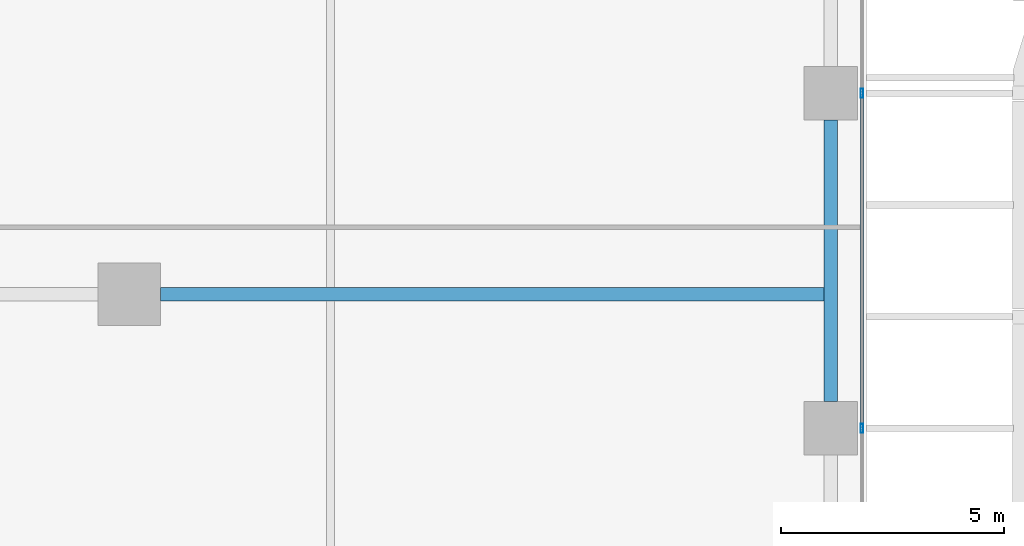
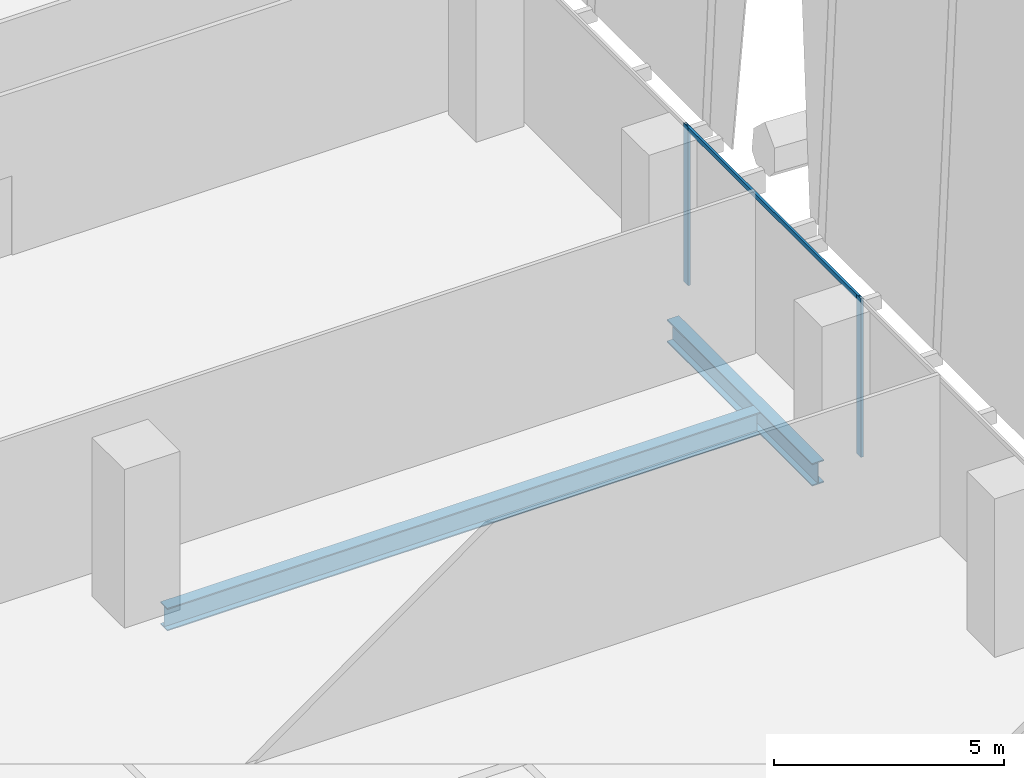
# One storey, part 10 of 35: 3 members, 2 beams, 1 element without a shape of its own.
"""IFC4 building model written with IfcOpenShell, lengths in metres."""

from ifc_helpers import new_model, si_unit, direction, frame, origin, origin_2d, place, context, subcontext, project, spatial, hollow_rectangle, i_section, extrude, source, transform, mapped, material, material_profile, profile_set, type_object, element, aggregate, save


model = new_model("IFC4")

# Units and contexts
model_context = context("Model", 3, precision=1e-05, world=origin(), true_north=direction((0.0, 1.0)))
body_context = subcontext(model_context, "Body", "Model", "MODEL_VIEW")
ifc_project = project(units=[si_unit("LENGTHUNIT", "METRE"), si_unit("AREAUNIT", "SQUARE_METRE"), si_unit("VOLUMEUNIT", "CUBIC_METRE"), si_unit("PLANEANGLEUNIT", "RADIAN"), si_unit("MASSUNIT", "GRAM", prefix="KILO")], contexts=[model_context])

# Site, building, storey
site_placement = place(None, origin())
site = spatial("IfcSite", under=ifc_project, at=site_placement, CompositionType="ELEMENT")
building_placement = place(site_placement, origin())
building = spatial("IfcBuilding", under=site, at=building_placement, Name="Khomas Fold Tower", CompositionType="ELEMENT")
storey_placement = place(building_placement, frame((0.0, 0.0, 87.0)))
storey = spatial("IfcBuildingStorey", under=building, at=storey_placement, Name="L18", CompositionType="ELEMENT", Elevation=87.0)

# Beams
ifc_material_1 = material(Name="Steel S355", Category="steel")
ifc_material_profile_1 = material_profile(ifc_material_1, i_section(OverallWidth=0.300048828125, OverallDepth=0.60009765625, WebThickness=0.015380859375, FlangeThickness=0.030029296875, at=origin_2d()), Name="HE 600 B")
ifc_profile_set_1 = profile_set([ifc_material_profile_1], Name="Steel S355")
beam_type_1 = type_object("IfcBeamType", Name="HE 600 B spandrel SB1", PredefinedType="SPANDREL", material=ifc_profile_set_1)
shared_shape_1 = source(origin(), body_context, "Body", "SweptSolid", [
    extrude(i_section(OverallWidth=0.300048828125, OverallDepth=0.60009765625, WebThickness=0.015380859375, FlangeThickness=0.030029296875, at=origin_2d()), origin(), (0.0, 0.0, 1.0), 6.2998046875),
])
beam_1_placement = place(storey_placement, frame((53.199951171875, 20.10009765625, -0.60009765625), z_axis=(0.0, 1.0, 0.0), x_axis=(-1.0, 0.0, 0.0)))
element("IfcBeam", 1, at=beam_1_placement, inside=storey, type_object=beam_type_1, Name="SB1", PredefinedType="SPANDREL", context=body_context, shape_type="MappedRepresentation", body=[
    mapped(shared_shape_1, transform((0.0, 0.0, 0.0))),
])
ifc_material_2 = material(Name="Steel S355", Category="steel")
ifc_material_profile_2 = material_profile(ifc_material_2, i_section(OverallWidth=0.300048828125, OverallDepth=0.60009765625, WebThickness=0.015380859375, FlangeThickness=0.030029296875, at=origin_2d()), Name="HE 600 B")
ifc_profile_set_2 = profile_set([ifc_material_profile_2], Name="Steel S355")
beam_type_2 = type_object("IfcBeamType", Name="HE 600 B beam GB5", PredefinedType="BEAM", material=ifc_profile_set_2)
shared_shape_2 = source(origin(), body_context, "Body", "SweptSolid", [
    extrude(i_section(OverallWidth=0.300048828125, OverallDepth=0.60009765625, WebThickness=0.015380859375, FlangeThickness=0.030029296875, at=origin_2d()), origin(), (0.0, 0.0, 1.0), 14.85009765625),
])
beam_2_placement = place(storey_placement, frame((38.199951171875, 22.5, -0.60009765625), z_axis=(1.0, 0.0, 0.0), x_axis=(0.0, 1.0, 0.0)))
element("IfcBeam", 2, at=beam_2_placement, inside=storey, type_object=beam_type_2, Name="GB5", PredefinedType="BEAM", context=body_context, shape_type="MappedRepresentation", body=[
    mapped(shared_shape_2, transform((0.0, 0.0, 0.0))),
])

# Curtain wall, members
ifc_material_3 = material(Name="Aluminium framed double glazing", Category="aluminium")
curtain_wall_type = type_object("IfcCurtainWallType", Name="SK-Unitised clear-glass wall, growing floors CW1", PredefinedType="NOTDEFINED", material=ifc_material_3)
curtain_wall_placement = place(storey_placement, origin())
curtain_wall = element("IfcCurtainWall", 3, at=curtain_wall_placement, inside=storey, type_object=curtain_wall_type, Name="CW1 run L18 03-0", PredefinedType="NOTDEFINED")
ifc_material_4 = material(Name="Aluminium", Category="aluminium")
ifc_material_profile_3 = material_profile(ifc_material_4, hollow_rectangle(XDim=0.06005859375, YDim=0.1201171875, WallThickness=0.00390625, at=origin_2d()), Name="SK-Unitised clear-glass wall, growing floors transom CW1-T")
ifc_profile_set_3 = profile_set([ifc_material_profile_3], Name="Aluminium")
member_type_1 = type_object("IfcMemberType", Name="SK-Unitised clear-glass wall, growing floors transom CW1-T", PredefinedType="USERDEFINED", material=ifc_profile_set_3)
shared_shape_3 = source(origin(), body_context, "Body", "SweptSolid", [
    extrude(hollow_rectangle(XDim=0.06005859375, YDim=0.1201171875, WallThickness=0.00390625, at=origin_2d()), origin(), (0.0, 0.0, 1.0), 7.43994140625),
])
member_1_placement = place(storey_placement, frame((53.89990234375, 19.530029296875, 4.139892578125), z_axis=(0.0, 1.0, 0.0), x_axis=(-1.0, 0.0, 0.0)))
member_1 = element("IfcMember", 4, at=member_1_placement, type_object=member_type_1, Name="CW1 transom 4", ObjectType="TRANSOM", PredefinedType="USERDEFINED", context=body_context, shape_type="MappedRepresentation", body=[
    mapped(shared_shape_3, transform((0.0, 0.0, 0.0))),
])
ifc_material_5 = material(Name="Aluminium", Category="aluminium")
ifc_material_profile_4 = material_profile(ifc_material_5, hollow_rectangle(XDim=0.06005859375, YDim=0.199951171875, WallThickness=0.00390625, at=origin_2d()), Name="SK-Unitised clear-glass wall, growing floors mullion CW1-M")
ifc_profile_set_4 = profile_set([ifc_material_profile_4], Name="Aluminium")
member_type_2 = type_object("IfcMemberType", Name="SK-Unitised clear-glass wall, growing floors mullion CW1-M", PredefinedType="MULLION", material=ifc_profile_set_4)
shared_shape_4 = source(origin(), body_context, "Body", "SweptSolid", [
    extrude(hollow_rectangle(XDim=0.06005859375, YDim=0.199951171875, WallThickness=0.00390625, at=origin_2d()), origin(), (0.0, 0.0, 1.0), 4.199951171875),
])
member_2_placement = place(storey_placement, frame((53.89990234375, 19.5, 0.0), z_axis=(0.0, 0.0, 1.0), x_axis=(-1.0, 0.0, 0.0)))
member_2 = element("IfcMember", 5, at=member_2_placement, type_object=member_type_2, Name="CW1 mullion 4", PredefinedType="MULLION", context=body_context, shape_type="MappedRepresentation", body=[
    mapped(shared_shape_4, transform((0.0, 0.0, 0.0))),
])
member_3_placement = place(storey_placement, frame((53.89990234375, 27.0, 0.0), z_axis=(0.0, 0.0, 1.0), x_axis=(-1.0, 0.0, 0.0)))
member_3 = element("IfcMember", 6, at=member_3_placement, type_object=member_type_2, Name="CW1 mullion 5", PredefinedType="MULLION", context=body_context, shape_type="MappedRepresentation", body=[
    mapped(shared_shape_4, transform((0.0, 0.0, 0.0))),
])
aggregate(curtain_wall, [member_2, member_3, member_1])

save(model, "model.ifc")
